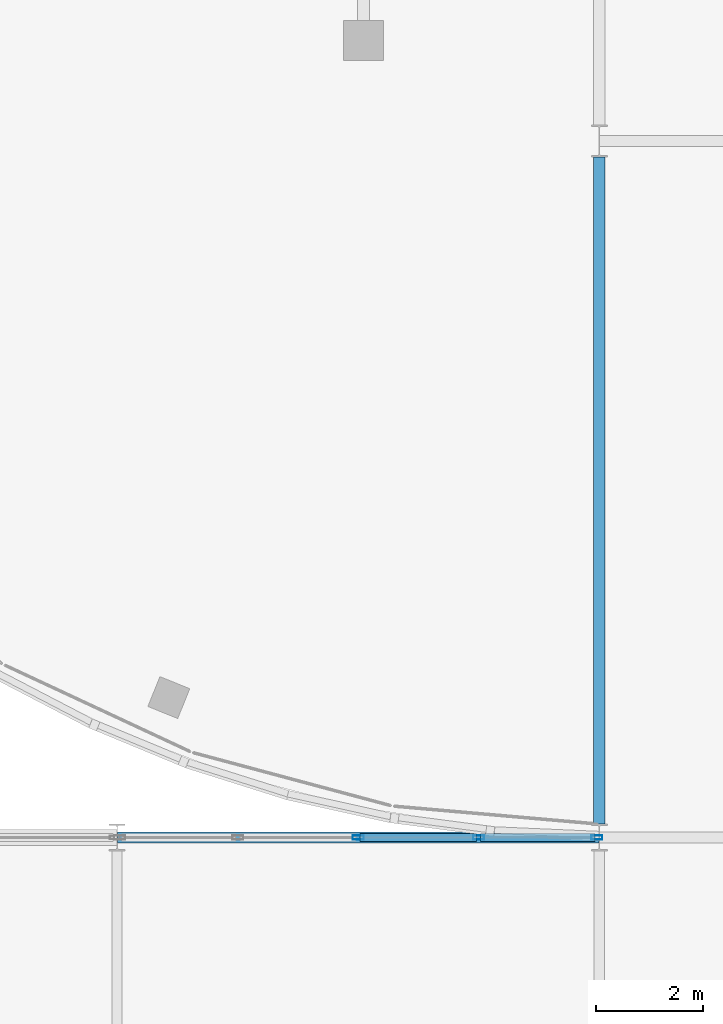
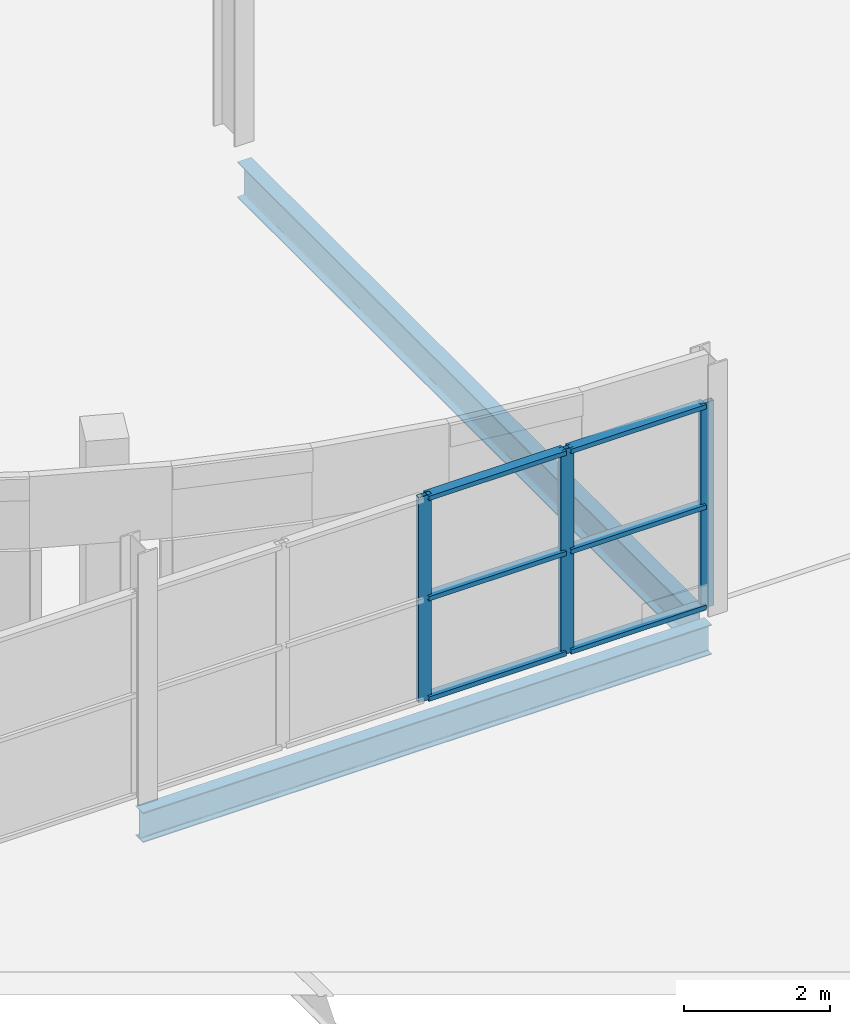
# One storey, part 78 of 140: 9 members, 2 beams, 1 element without a shape of its own.
"""IFC4 building model written with IfcOpenShell, lengths in metres."""

from ifc_helpers import new_model, si_unit, direction, frame, origin, origin_2d, place, context, subcontext, project, spatial, hollow_rectangle, i_section, extrude, material, layer, layer_set, material_profile, profile_set, type_object, element, aggregate, save


model = new_model("IFC4")

# Units and contexts
model_context = context("Model", 3, precision=1e-05, world=origin(), true_north=direction((0.0, 1.0)))
body_context = subcontext(model_context, "Body", "Model", "MODEL_VIEW")
ifc_project = project(units=[si_unit("LENGTHUNIT", "METRE"), si_unit("AREAUNIT", "SQUARE_METRE"), si_unit("VOLUMEUNIT", "CUBIC_METRE"), si_unit("PLANEANGLEUNIT", "RADIAN"), si_unit("MASSUNIT", "GRAM", prefix="KILO")], contexts=[model_context])

# Site, building, storey
site_placement = place(None, origin())
site = spatial("IfcSite", under=ifc_project, at=site_placement, CompositionType="ELEMENT")
building_placement = place(site_placement, origin())
building = spatial("IfcBuilding", under=site, at=building_placement, Name="Deido Ridge Mobility Hub", CompositionType="ELEMENT")
storey_placement = place(building_placement, origin())
storey = spatial("IfcBuildingStorey", under=building, at=storey_placement, Name="L00", CompositionType="ELEMENT", Elevation=0.0)

# Beams
ifc_material_1 = material(Name="Steel S355J2 EN 10025-2", Category="steel")
ifc_material_profile_1 = material_profile(ifc_material_1, i_section(OverallWidth=0.199951171875, OverallDepth=0.5, WebThickness=0.01025390625, FlangeThickness=0.01611328125, FilletRadius=0.02099609375, at=origin_2d()), Name="IPE 500")
ifc_profile_set_1 = profile_set([ifc_material_profile_1], Name="Steel S355J2 EN 10025-2")
beam_type_1 = type_object("IfcBeamType", Name="BM-IPE500", PredefinedType="BEAM", material=ifc_profile_set_1)
beam_1_placement = place(storey_placement, frame((36.007080078125, 81.0, -0.510009765625), z_axis=(1.0, 0.0, 0.0), x_axis=(0.0, 1.0, 0.0)))
element("IfcBeam", 1, at=beam_1_placement, inside=storey, type_object=beam_type_1, Name="Floor beam B3", PredefinedType="BEAM", context=body_context, shape_type="SweptSolid", body=[
    extrude(i_section(OverallWidth=0.199951171875, OverallDepth=0.5, WebThickness=0.01025390625, FlangeThickness=0.01611328125, FilletRadius=0.02099609375, at=origin_2d()), origin(), (0.0, 0.0, 1.0), 8.98583984375),
])
ifc_material_profile_2 = material_profile(ifc_material_1, i_section(OverallWidth=0.219970703125, OverallDepth=0.60009765625, WebThickness=0.011962890625, FlangeThickness=0.01904296875, FilletRadius=0.02392578125, at=origin_2d()), Name="IPE 600")
ifc_profile_set_2 = profile_set([ifc_material_profile_2], Name="Steel S355J2 EN 10025-2")
beam_type_2 = type_object("IfcBeamType", Name="BM-IPE600", PredefinedType="BEAM", material=ifc_profile_set_2)
beam_2_placement = place(storey_placement, frame((45.0, 81.25, -0.56005859375), z_axis=(0.0, 1.0, 0.0), x_axis=(-1.0, 0.0, 0.0)))
element("IfcBeam", 2, at=beam_2_placement, inside=storey, type_object=beam_type_2, Name="Floor beam B1", PredefinedType="BEAM", context=body_context, shape_type="SweptSolid", body=[
    extrude(i_section(OverallWidth=0.219970703125, OverallDepth=0.60009765625, WebThickness=0.011962890625, FlangeThickness=0.01904296875, FilletRadius=0.02392578125, at=origin_2d()), origin(), (0.0, 0.0, 1.0), 12.449951171875),
])

# Curtain wall, members
ifc_material_2 = material(Name="Anodised aluminium EN AW-6063 T6", Category="aluminium")
ifc_layer = layer(ifc_material_2, 0.132080078125, Name="Anodised aluminium EN AW-6063 T6")
ifc_layer_set = layer_set([ifc_layer], Name="Anodised aluminium EN AW-6063 T6")
curtain_wall_type = type_object("IfcCurtainWallType", Name="CW-GS-1", PredefinedType="USERDEFINED", material=ifc_layer_set)
curtain_wall_placement = place(storey_placement, origin())
curtain_wall = element("IfcCurtainWall", 3, at=curtain_wall_placement, inside=storey, type_object=curtain_wall_type, Name="Unitised curtain wall GS1", ObjectType="GLAZED SCREEN", PredefinedType="USERDEFINED")
ifc_material_profile_3 = material_profile(ifc_material_2, hollow_rectangle(XDim=0.074951171875, YDim=0.205078125, WallThickness=0.00390625, at=origin_2d()), Name="RHS 75x205x4")
ifc_profile_set_3 = profile_set([ifc_material_profile_3], Name="Anodised aluminium EN AW-6063 T6")
member_type_1 = type_object("IfcMemberType", Name="MEM-MUL-75X205", PredefinedType="MULLION", material=ifc_profile_set_3)
member_1_placement = place(storey_placement, frame((40.5, 81.0, 0.0), z_axis=(0.0, 0.0, 1.0), x_axis=(0.0, 1.0, 0.0)))
member_1 = element("IfcMember", 4, at=member_1_placement, type_object=member_type_1, Name="GS1 mullion 3", PredefinedType="MULLION", context=body_context, shape_type="SweptSolid", body=[
    extrude(hollow_rectangle(XDim=0.074951171875, YDim=0.205078125, WallThickness=0.00390625, at=origin_2d()), origin(), (0.0, 0.0, 1.0), 3.425048828125),
])
member_2_placement = place(storey_placement, frame((42.746337890625, 81.0, 0.0), z_axis=(0.0, 0.0, 1.0), x_axis=(0.0, 1.0, 0.0)))
member_2 = element("IfcMember", 5, at=member_2_placement, type_object=member_type_1, Name="GS1 mullion 4", PredefinedType="MULLION", context=body_context, shape_type="SweptSolid", body=[
    extrude(hollow_rectangle(XDim=0.074951171875, YDim=0.205078125, WallThickness=0.00390625, at=origin_2d()), origin(), (0.0, 0.0, 1.0), 3.425048828125),
])
member_3_placement = place(storey_placement, frame((44.955322265625, 81.0, 0.0), z_axis=(0.0, 0.0, 1.0), x_axis=(0.0, 1.0, 0.0)))
member_3 = element("IfcMember", 6, at=member_3_placement, type_object=member_type_1, Name="GS1 mullion 5", PredefinedType="MULLION", context=body_context, shape_type="SweptSolid", body=[
    extrude(hollow_rectangle(XDim=0.074951171875, YDim=0.205078125, WallThickness=0.00390625, at=origin_2d()), origin(), (0.0, 0.0, 1.0), 3.425048828125),
])
ifc_material_profile_4 = material_profile(ifc_material_2, hollow_rectangle(XDim=0.155029296875, YDim=0.074951171875, WallThickness=0.00390625, at=origin_2d()), Name="RHS 155x75x4")
ifc_profile_set_4 = profile_set([ifc_material_profile_4], Name="Anodised aluminium EN AW-6063 T6")
member_type_2 = type_object("IfcMemberType", Name="MEM-TRN-155X75", PredefinedType="USERDEFINED", material=ifc_profile_set_4)
member_4_placement = place(storey_placement, frame((40.53759765625, 81.0, 0.03759765625), z_axis=(1.0, 0.0, 0.0), x_axis=(0.0, 1.0, 0.0)))
member_4 = element("IfcMember", 7, at=member_4_placement, type_object=member_type_2, Name="GS1 transom 3.1", ObjectType="TRANSOM", PredefinedType="USERDEFINED", context=body_context, shape_type="SweptSolid", body=[
    extrude(hollow_rectangle(XDim=0.155029296875, YDim=0.074951171875, WallThickness=0.00390625, at=origin_2d()), origin(), (0.0, 0.0, 1.0), 2.17138671875),
])
member_5_placement = place(storey_placement, frame((40.53759765625, 81.0, 1.71240234375), z_axis=(1.0, 0.0, 0.0), x_axis=(0.0, 1.0, 0.0)))
member_5 = element("IfcMember", 8, at=member_5_placement, type_object=member_type_2, Name="GS1 transom 3.2", ObjectType="TRANSOM", PredefinedType="USERDEFINED", context=body_context, shape_type="SweptSolid", body=[
    extrude(hollow_rectangle(XDim=0.155029296875, YDim=0.074951171875, WallThickness=0.00390625, at=origin_2d()), origin(), (0.0, 0.0, 1.0), 2.17138671875),
])
member_6_placement = place(storey_placement, frame((40.53759765625, 81.0, 3.387451171875), z_axis=(1.0, 0.0, 0.0), x_axis=(0.0, 1.0, 0.0)))
member_6 = element("IfcMember", 9, at=member_6_placement, type_object=member_type_2, Name="GS1 transom 3.3", ObjectType="TRANSOM", PredefinedType="USERDEFINED", context=body_context, shape_type="SweptSolid", body=[
    extrude(hollow_rectangle(XDim=0.155029296875, YDim=0.074951171875, WallThickness=0.00390625, at=origin_2d()), origin(), (0.0, 0.0, 1.0), 2.17138671875),
])
member_7_placement = place(storey_placement, frame((42.783935546875, 81.0, 0.03759765625), z_axis=(1.0, 0.0, 0.0), x_axis=(0.0, 1.0, 0.0)))
member_7 = element("IfcMember", 10, at=member_7_placement, type_object=member_type_2, Name="GS1 transom 4.1", ObjectType="TRANSOM", PredefinedType="USERDEFINED", context=body_context, shape_type="SweptSolid", body=[
    extrude(hollow_rectangle(XDim=0.155029296875, YDim=0.074951171875, WallThickness=0.00390625, at=origin_2d()), origin(), (0.0, 0.0, 1.0), 2.1337890625),
])
member_8_placement = place(storey_placement, frame((42.783935546875, 81.0, 1.71240234375), z_axis=(1.0, 0.0, 0.0), x_axis=(0.0, 1.0, 0.0)))
member_8 = element("IfcMember", 11, at=member_8_placement, type_object=member_type_2, Name="GS1 transom 4.2", ObjectType="TRANSOM", PredefinedType="USERDEFINED", context=body_context, shape_type="SweptSolid", body=[
    extrude(hollow_rectangle(XDim=0.155029296875, YDim=0.074951171875, WallThickness=0.00390625, at=origin_2d()), origin(), (0.0, 0.0, 1.0), 2.1337890625),
])
member_9_placement = place(storey_placement, frame((42.783935546875, 81.0, 3.387451171875), z_axis=(1.0, 0.0, 0.0), x_axis=(0.0, 1.0, 0.0)))
member_9 = element("IfcMember", 12, at=member_9_placement, type_object=member_type_2, Name="GS1 transom 4.3", ObjectType="TRANSOM", PredefinedType="USERDEFINED", context=body_context, shape_type="SweptSolid", body=[
    extrude(hollow_rectangle(XDim=0.155029296875, YDim=0.074951171875, WallThickness=0.00390625, at=origin_2d()), origin(), (0.0, 0.0, 1.0), 2.1337890625),
])
aggregate(curtain_wall, [member_1, member_2, member_3, member_4, member_5, member_6, member_7, member_8, member_9])

save(model, "model.ifc")
